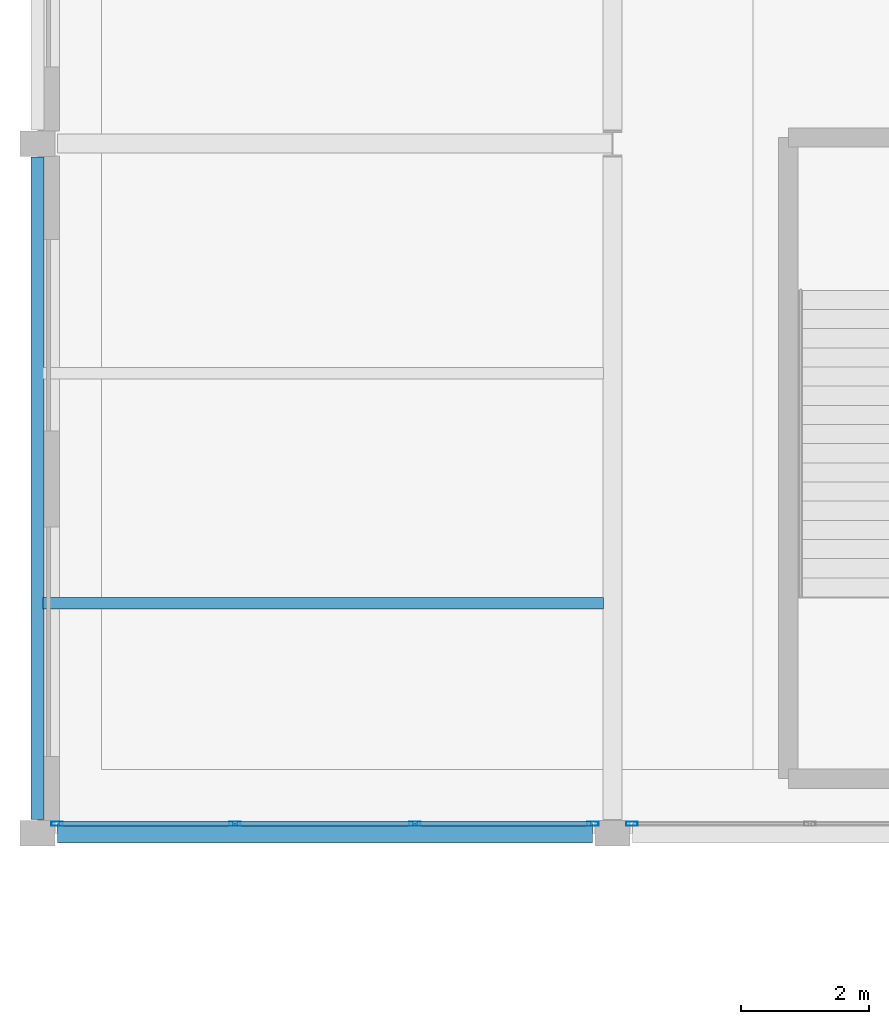
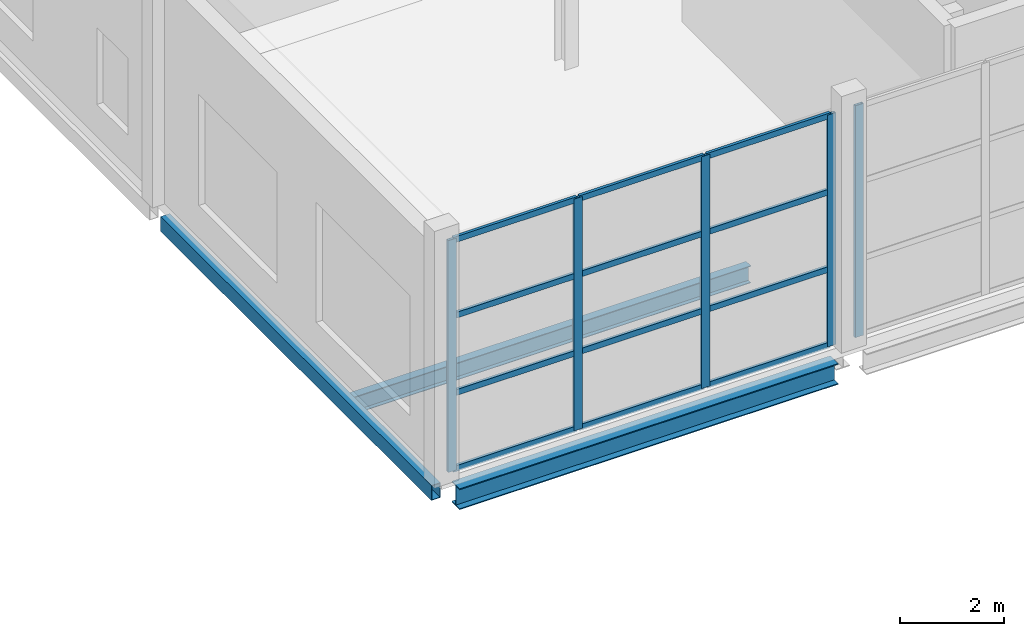
# One storey, part 68 of 191: 17 members, 3 beams, 2 elements without a shape of their own.
"""IFC4 building model written with IfcOpenShell, lengths in metres."""

import ifcopenshell
import ifcopenshell.guid

model = None  # the IFC model being written
_history = None  # IfcOwnerHistory: only IFC2X3 demands one
_inside = {}  # id of a spatial element -> (the spatial element, [elements in it])
_under = {}  # id of a project, library or spatial element -> (it, [spatial elements below it])
_declared = {}  # id of a project -> (the project, [libraries it declares])
_typed = {}  # id of a type object -> (the type object, [elements of that type])
_made_of = {}  # id of a material, layer set ... -> (it, [elements and type objects made of it])


def new_model(schema):
    """Start an empty IFC model of exactly this schema.

    Asked for "IFC4X3", IfcOpenShell would pick the latest addendum, in which some entities
    have other attributes; the version numbers below select the first issue.
    IFC2X3 requires an IfcOwnerHistory on every rooted entity: one is made here for all.
    """
    global model, _history
    if schema == "IFC4X3":
        model = ifcopenshell.file(schema_version=(4, 3, 0, 0))
    else:
        model = ifcopenshell.file(schema=schema)
    _inside.clear()
    _under.clear()
    _declared.clear()
    _typed.clear()
    _made_of.clear()
    _history = None
    if model.schema == "IFC2X3":
        org = make("IfcOrganization", Name="unknown")
        user = make(
            "IfcPersonAndOrganization",
            ThePerson=make("IfcPerson", FamilyName="unknown"),
            TheOrganization=org,
        )
        app = make(
            "IfcApplication",
            ApplicationDeveloper=org,
            Version="unknown",
            ApplicationFullName="unknown",
            ApplicationIdentifier="unknown",
        )
        _history = make(
            "IfcOwnerHistory",
            OwningUser=user,
            OwningApplication=app,
            ChangeAction="ADDED",
            CreationDate=0,
        )
    return model


def make(cls, **values):
    """One entity of the class cls with the attributes given. An attribute that is None is left unset."""
    return model.create_entity(
        cls, **{name: value for name, value in values.items() if value is not None}
    )


def rooted(cls, **values):
    """An entity with a GlobalId (a new one), such as an element, a storey or a relation."""
    return make(cls, GlobalId=ifcopenshell.guid.new(), OwnerHistory=_history, **values)


def si_unit(unit_type, name, prefix=None):
    """IfcSIUnit, for example si_unit("LENGTHUNIT", "METRE", prefix="MILLI")."""
    return make("IfcSIUnit", UnitType=unit_type, Prefix=prefix, Name=name)


def assignment(units):
    """IfcUnitAssignment: the units of a project."""
    return None if units is None else make("IfcUnitAssignment", Units=units)


def point(xyz):
    """IfcCartesianPoint."""
    return None if xyz is None else make("IfcCartesianPoint", Coordinates=xyz)


def direction(xyz):
    """IfcDirection."""
    return None if xyz is None else make("IfcDirection", DirectionRatios=xyz)


def frame(location, z_axis=None, x_axis=None):
    """IfcAxis2Placement3D, a coordinate frame: its origin and axes. An axis left out is left unset."""
    return make(
        "IfcAxis2Placement3D",
        Location=point(location),
        Axis=direction(z_axis),
        RefDirection=direction(x_axis),
    )


def frame_2d(location, x_axis=None):
    """IfcAxis2Placement2D, a coordinate frame in the plane: its origin and x axis."""
    return make(
        "IfcAxis2Placement2D", Location=point(location), RefDirection=direction(x_axis)
    )


def origin():
    """The frame at (0, 0, 0) with its axes left unset."""
    return frame((0.0, 0.0, 0.0))


def origin_2d():
    """The frame at (0, 0) in the plane with its x axis left unset."""
    return frame_2d((0.0, 0.0))


def place(relative_to, where):
    """IfcLocalPlacement: puts the frame where relative to a parent placement (None: the world)."""
    return make(
        "IfcLocalPlacement", PlacementRelTo=relative_to, RelativePlacement=where
    )


def context(
    kind, dimensions, precision=None, world=None, true_north=None, identifier=None
):
    """IfcGeometricRepresentationContext, for example the 3D "Model" context."""
    return make(
        "IfcGeometricRepresentationContext",
        ContextIdentifier=identifier,
        ContextType=kind,
        CoordinateSpaceDimension=dimensions,
        Precision=precision,
        WorldCoordinateSystem=world,
        TrueNorth=true_north,
    )


def subcontext(parent, identifier, kind, view, scale=None):
    """IfcGeometricRepresentationSubContext, for example "Body" below "Model"."""
    return make(
        "IfcGeometricRepresentationSubContext",
        ContextIdentifier=identifier,
        ContextType=kind,
        ParentContext=parent,
        TargetScale=scale,
        TargetView=view,
    )


def project(units=None, contexts=None):
    """IfcProject with its units and contexts."""
    return rooted(
        "IfcProject",
        Name="project",
        RepresentationContexts=contexts,
        UnitsInContext=assignment(units),
    )


def spatial(cls, under=None, at=None, **own):
    """A site, building, storey or space (cls), placed at a placement, below another one or the project."""
    s = rooted(cls, ObjectPlacement=at, **own)
    if under is not None:
        _under.setdefault(under.id(), (under, []))[1].append(s)
    return s


def profile(cls, at=None, kind="AREA", **sizes):
    """A parametric profile (cls). Its sizes go by their IFC names, for example OverallWidth=200.0."""
    return make(cls, ProfileType=kind, Position=at, **sizes)


def hollow_rectangle(**sizes):
    """IfcRectangleHollowProfileDef."""
    return profile("IfcRectangleHollowProfileDef", **sizes)


def i_section(**sizes):
    """IfcIShapeProfileDef."""
    return profile("IfcIShapeProfileDef", **sizes)


def extrude(swept, where, along, depth):
    """IfcExtrudedAreaSolid: the profile swept, set in the frame where, extruded along a direction by depth."""
    return make(
        "IfcExtrudedAreaSolid",
        SweptArea=swept,
        Position=where,
        ExtrudedDirection=direction(along),
        Depth=depth,
    )


def shape(context_of_items, identifier, shape_type, items):
    """IfcShapeRepresentation: the items that make up one representation, for example the "Body"."""
    return make(
        "IfcShapeRepresentation",
        ContextOfItems=context_of_items,
        RepresentationIdentifier=identifier,
        RepresentationType=shape_type,
        Items=items,
    )


def material(Name=None, Category=None):
    """IfcMaterial."""
    return make("IfcMaterial", Name=Name, Category=Category)


def layer(
    of_material, thickness, ventilated=None, Name=None, Category=None, Priority=None
):
    """IfcMaterialLayer: one layer of a wall or slab, of a material (None: an air gap)."""
    return make(
        "IfcMaterialLayer",
        Material=of_material,
        LayerThickness=thickness,
        IsVentilated=ventilated,
        Name=Name,
        Category=Category,
        Priority=Priority,
    )


def layer_set(layers, Name=None):
    """IfcMaterialLayerSet."""
    return make("IfcMaterialLayerSet", MaterialLayers=layers, LayerSetName=Name)


def material_profile(
    of_material, cross_section, Name=None, Category=None, Priority=None
):
    """IfcMaterialProfile: a cross section and its material."""
    return make(
        "IfcMaterialProfile",
        Name=Name,
        Material=of_material,
        Profile=cross_section,
        Priority=Priority,
        Category=Category,
    )


def profile_set(profiles, Name=None, composite=None):
    """IfcMaterialProfileSet."""
    return make(
        "IfcMaterialProfileSet",
        Name=Name,
        MaterialProfiles=profiles,
        CompositeProfile=composite,
    )


def made_of(thing, what):
    """Note that an element or type object is made of a material, layer set ...; save() writes the relation."""
    if what is not None:
        _made_of.setdefault(what.id(), (what, []))[1].append(thing)
    return thing


def type_object(cls, material=None, **own):
    """A type object (cls), such as IfcWallType, which elements share."""
    return made_of(rooted(cls, **own), material)


def element(
    cls,
    number,
    at=None,
    inside=None,
    cuts=None,
    type_object=None,
    material=None,
    context=None,
    identifier="Body",
    shape_type=None,
    held_by="IfcProductDefinitionShape",
    body=None,
    shapes=None,
    **own,
):
    """One element of the class cls, such as IfcWall. Its Tag is "e" and its number.

    at: its placement. inside: the storey or other place that contains it. cuts: it is an
    opening in that element (IfcRelVoidsElement). A single representation is given by context,
    identifier, shape_type and body (its items); several are given by shapes. held_by: the class
    of the entity that holds the representations. save() writes the other relations.
    """
    e = rooted(cls, Tag="e%d" % number, ObjectPlacement=at, **own)
    if body is not None:
        shapes = [shape(context, identifier, shape_type, body)]
    if shapes is not None:
        e.Representation = make(held_by, Representations=shapes)
    if inside is not None:
        _inside.setdefault(inside.id(), (inside, []))[1].append(e)
    if cuts is not None:
        rooted(
            "IfcRelVoidsElement", RelatingBuildingElement=cuts, RelatedOpeningElement=e
        )
    if type_object is not None:
        _typed.setdefault(type_object.id(), (type_object, []))[1].append(e)
    return made_of(e, material)


def aggregate(whole, parts):
    """IfcRelAggregates: a whole, such as a stair, and the parts it consists of."""
    return rooted("IfcRelAggregates", RelatingObject=whole, RelatedObjects=parts)


def save(model, path):
    """Write the relations noted so far, then the file.

    IfcRelAggregates (storeys below a building ...), IfcRelContainedInSpatialStructure (elements
    in a storey), IfcRelDefinesByType, IfcRelAssociatesMaterial and IfcRelDeclares: one each for
    every whole, place, type object, material and project.
    """
    for whole, parts in _under.values():
        aggregate(whole, parts)
    for where, things in _inside.values():
        rooted(
            "IfcRelContainedInSpatialStructure",
            RelatedElements=things,
            RelatingStructure=where,
        )
    for kind, things in _typed.values():
        rooted("IfcRelDefinesByType", RelatedObjects=things, RelatingType=kind)
    for what, things in _made_of.values():
        rooted("IfcRelAssociatesMaterial", RelatedObjects=things, RelatingMaterial=what)
    for by, libraries in _declared.values():
        rooted("IfcRelDeclares", RelatingContext=by, RelatedDefinitions=libraries)
    model.write(path)


model = new_model("IFC4")

# Units and contexts
model_context = context("Model", 3, precision=1e-05, world=origin(), true_north=direction((0.0, 1.0)))
body_context = subcontext(model_context, "Body", "Model", "MODEL_VIEW")
ifc_project = project(units=[si_unit("LENGTHUNIT", "METRE"), si_unit("AREAUNIT", "SQUARE_METRE"), si_unit("VOLUMEUNIT", "CUBIC_METRE"), si_unit("PLANEANGLEUNIT", "RADIAN"), si_unit("MASSUNIT", "GRAM", prefix="KILO")], contexts=[model_context])

# Site, building, storey
site_placement = place(None, origin())
site = spatial("IfcSite", under=ifc_project, at=site_placement, CompositionType="ELEMENT")
building_placement = place(site_placement, origin())
building = spatial("IfcBuilding", under=site, at=building_placement, Name="Tamarisk Ironworks Central Station", CompositionType="ELEMENT")
storey_placement = place(building_placement, frame((0.0, 0.0, 6.60009765625)))
storey = spatial("IfcBuildingStorey", under=building, at=storey_placement, Name="L01", CompositionType="ELEMENT", Elevation=6.60009765625)

# Beams
ifc_material_1 = material(Name="Structural steel S355J2", Category="steel")
ifc_material_profile_1 = material_profile(ifc_material_1, i_section(OverallWidth=0.179931640625, OverallDepth=0.39990234375, WebThickness=0.008544921875, FlangeThickness=0.013427734375, at=origin_2d()), Name="IPE 400")
ifc_profile_set_1 = profile_set([ifc_material_profile_1], Name="Structural steel S355J2")
beam_type_1 = type_object("IfcBeamType", Name="BM-B04", PredefinedType="BEAM", material=ifc_profile_set_1)
beam_1_placement = place(storey_placement, frame((0.0849609375, 93.60009765625, -0.4501953125), z_axis=(1.0, 0.0, 0.0), x_axis=(0.0, 1.0, 0.0)))
element("IfcBeam", 1, at=beam_1_placement, inside=storey, type_object=beam_type_1, Name="L01 secondary composite beam 0045", PredefinedType="BEAM", context=body_context, shape_type="SweptSolid", body=[
    extrude(i_section(OverallWidth=0.179931640625, OverallDepth=0.39990234375, WebThickness=0.008544921875, FlangeThickness=0.013427734375, at=origin_2d()), origin(), (0.0, 0.0, 1.0), 8.780029296875),
])
ifc_material_profile_2 = material_profile(ifc_material_1, i_section(OverallWidth=0.300048828125, OverallDepth=0.489990234375, WebThickness=0.011962890625, FlangeThickness=0.02294921875, at=origin_2d()), Name="HEA 500")
ifc_profile_set_2 = profile_set([ifc_material_profile_2], Name="Structural steel S355J2")
beam_type_2 = type_object("IfcBeamType", Name="BM-G05", PredefinedType="BEAM", material=ifc_profile_set_2)
beam_2_placement = place(storey_placement, frame((0.31298828125, 90.0, -0.4951171875), z_axis=(1.0, 0.0, 0.0), x_axis=(0.0, 1.0, 0.0)))
element("IfcBeam", 2, at=beam_2_placement, inside=storey, type_object=beam_type_2, Name="L01 primary girder X-0093", PredefinedType="BEAM", context=body_context, shape_type="SweptSolid", body=[
    extrude(i_section(OverallWidth=0.300048828125, OverallDepth=0.489990234375, WebThickness=0.011962890625, FlangeThickness=0.02294921875, at=origin_2d()), origin(), (0.0, 0.0, 1.0), 8.3740234375),
])
ifc_material_profile_3 = material_profile(ifc_material_1, hollow_rectangle(XDim=0.199951171875, YDim=0.35009765625, WallThickness=0.012451171875, at=origin_2d()), Name="RHS 350x200x12.5")
ifc_profile_set_3 = profile_set([ifc_material_profile_3], Name="Structural steel S355J2")
beam_type_3 = type_object("IfcBeamType", Name="BM-SP01", PredefinedType="SPANDREL", material=ifc_profile_set_3)
beam_3_placement = place(storey_placement, frame((0.0, 90.212890625, -0.425048828125), z_axis=(0.0, 1.0, 0.0), x_axis=(-1.0, 0.0, 0.0)))
element("IfcBeam", 3, at=beam_3_placement, inside=storey, type_object=beam_type_3, Name="L01 primary girder Y-0159", PredefinedType="SPANDREL", context=body_context, shape_type="SweptSolid", body=[
    extrude(hollow_rectangle(XDim=0.199951171875, YDim=0.35009765625, WallThickness=0.012451171875, at=origin_2d()), origin(), (0.0, 0.0, 1.0), 10.3740234375),
])

# Curtain wall, members
ifc_material_2 = material(Name="Anodized aluminium alloy 6063-T6", Category="aluminium")
ifc_layer = layer(ifc_material_2, 0.179931640625)
ifc_layer_set = layer_set([ifc_layer], Name="Anodized aluminium alloy 6063-T6")
curtain_wall_type = type_object("IfcCurtainWallType", Name="CW-10", PredefinedType="USERDEFINED", material=ifc_layer_set)
curtain_wall_1_placement = place(storey_placement, origin())
curtain_wall_1 = element("IfcCurtainWall", 4, at=curtain_wall_1_placement, inside=storey, type_object=curtain_wall_type, Name="Pavilion L01 S glazed arcade 00", ObjectType="GLAZED CURTAIN WALL", PredefinedType="USERDEFINED")
ifc_material_profile_4 = material_profile(ifc_material_2, hollow_rectangle(XDim=0.06494140625, YDim=0.179931640625, WallThickness=0.00390625, at=origin_2d()), Name="ALUM 180x65")
ifc_profile_set_4 = profile_set([ifc_material_profile_4], Name="Anodized aluminium alloy 6063-T6")
member_type_1 = type_object("IfcMemberType", Name="CWM-02", PredefinedType="MULLION", material=ifc_profile_set_4)
member_1_placement = place(storey_placement, frame((0.305419921875, 90.14990234375, 0.0), z_axis=(0.0, 0.0, 1.0), x_axis=(0.0, 1.0, 0.0)))
member_1 = element("IfcMember", 5, at=member_1_placement, type_object=member_type_1, Name="CW10 mullion 1", PredefinedType="MULLION", context=body_context, shape_type="SweptSolid", body=[
    extrude(hollow_rectangle(XDim=0.06494140625, YDim=0.179931640625, WallThickness=0.00390625, at=origin_2d()), origin(), (0.0, 0.0, 1.0), 5.419921875),
])
member_2_placement = place(storey_placement, frame((3.091064453125, 90.14990234375, 0.0), z_axis=(0.0, 0.0, 1.0), x_axis=(0.0, 1.0, 0.0)))
member_2 = element("IfcMember", 6, at=member_2_placement, type_object=member_type_1, Name="CW10 mullion 2", PredefinedType="MULLION", context=body_context, shape_type="SweptSolid", body=[
    extrude(hollow_rectangle(XDim=0.06494140625, YDim=0.179931640625, WallThickness=0.00390625, at=origin_2d()), origin(), (0.0, 0.0, 1.0), 5.419921875),
])
member_3_placement = place(storey_placement, frame((5.908935546875, 90.14990234375, 0.0), z_axis=(0.0, 0.0, 1.0), x_axis=(0.0, 1.0, 0.0)))
member_3 = element("IfcMember", 7, at=member_3_placement, type_object=member_type_1, Name="CW10 mullion 3", PredefinedType="MULLION", context=body_context, shape_type="SweptSolid", body=[
    extrude(hollow_rectangle(XDim=0.06494140625, YDim=0.179931640625, WallThickness=0.00390625, at=origin_2d()), origin(), (0.0, 0.0, 1.0), 5.419921875),
])
member_4_placement = place(storey_placement, frame((8.694580078125, 90.14990234375, 0.0), z_axis=(0.0, 0.0, 1.0), x_axis=(0.0, 1.0, 0.0)))
member_4 = element("IfcMember", 8, at=member_4_placement, type_object=member_type_1, Name="CW10 mullion 4", PredefinedType="MULLION", context=body_context, shape_type="SweptSolid", body=[
    extrude(hollow_rectangle(XDim=0.06494140625, YDim=0.179931640625, WallThickness=0.00390625, at=origin_2d()), origin(), (0.0, 0.0, 1.0), 5.419921875),
])

# Curtain wall, member
curtain_wall_2_placement = place(storey_placement, origin())
curtain_wall_2 = element("IfcCurtainWall", 9, at=curtain_wall_2_placement, inside=storey, type_object=curtain_wall_type, Name="Pavilion L01 S glazed arcade 09", ObjectType="GLAZED CURTAIN WALL", PredefinedType="USERDEFINED")
member_5_placement = place(storey_placement, frame((9.305419921875, 90.14990234375, 0.0), z_axis=(0.0, 0.0, 1.0), x_axis=(0.0, 1.0, 0.0)))
member_5 = element("IfcMember", 10, at=member_5_placement, type_object=member_type_1, Name="CW10 mullion 1", PredefinedType="MULLION", context=body_context, shape_type="SweptSolid", body=[
    extrude(hollow_rectangle(XDim=0.06494140625, YDim=0.179931640625, WallThickness=0.00390625, at=origin_2d()), origin(), (0.0, 0.0, 1.0), 5.419921875),
])
aggregate(curtain_wall_2, [member_5])

# Member
ifc_material_profile_5 = material_profile(ifc_material_2, hollow_rectangle(XDim=0.06494140625, YDim=0.135009765625, WallThickness=0.00341796875, at=origin_2d()), Name="ALUM 135x65")
ifc_profile_set_5 = profile_set([ifc_material_profile_5], Name="Anodized aluminium alloy 6063-T6")
member_type_2 = type_object("IfcMemberType", Name="CWT-02", PredefinedType="USERDEFINED", material=ifc_profile_set_5)
member_6_placement = place(storey_placement, frame((0.333984375, 90.14990234375, 0.032470703125), z_axis=(1.0, 0.0, 0.0), x_axis=(0.0, 1.0, 0.0)))
member_6 = element("IfcMember", 11, at=member_6_placement, type_object=member_type_2, Name="CW10 transom 1.1", ObjectType="TRANSOM", PredefinedType="USERDEFINED", context=body_context, shape_type="SweptSolid", body=[
    extrude(hollow_rectangle(XDim=0.06494140625, YDim=0.135009765625, WallThickness=0.00341796875, at=origin_2d()), origin(), (0.0, 0.0, 1.0), 2.728515625),
])

member_7_placement = place(storey_placement, frame((0.333984375, 90.14990234375, 1.806640625), z_axis=(1.0, 0.0, 0.0), x_axis=(0.0, 1.0, 0.0)))
member_7 = element("IfcMember", 12, at=member_7_placement, type_object=member_type_2, Name="CW10 transom 1.2", ObjectType="TRANSOM", PredefinedType="USERDEFINED", context=body_context, shape_type="SweptSolid", body=[
    extrude(hollow_rectangle(XDim=0.06494140625, YDim=0.135009765625, WallThickness=0.00341796875, at=origin_2d()), origin(), (0.0, 0.0, 1.0), 2.728515625),
])

member_8_placement = place(storey_placement, frame((0.333984375, 90.14990234375, 3.61328125), z_axis=(1.0, 0.0, 0.0), x_axis=(0.0, 1.0, 0.0)))
member_8 = element("IfcMember", 13, at=member_8_placement, type_object=member_type_2, Name="CW10 transom 1.3", ObjectType="TRANSOM", PredefinedType="USERDEFINED", context=body_context, shape_type="SweptSolid", body=[
    extrude(hollow_rectangle(XDim=0.06494140625, YDim=0.135009765625, WallThickness=0.00341796875, at=origin_2d()), origin(), (0.0, 0.0, 1.0), 2.728515625),
])

member_9_placement = place(storey_placement, frame((0.333984375, 90.14990234375, 5.387451171875), z_axis=(1.0, 0.0, 0.0), x_axis=(0.0, 1.0, 0.0)))
member_9 = element("IfcMember", 14, at=member_9_placement, type_object=member_type_2, Name="CW10 transom 1.4", ObjectType="TRANSOM", PredefinedType="USERDEFINED", context=body_context, shape_type="SweptSolid", body=[
    extrude(hollow_rectangle(XDim=0.06494140625, YDim=0.135009765625, WallThickness=0.00341796875, at=origin_2d()), origin(), (0.0, 0.0, 1.0), 2.728515625),
])

member_10_placement = place(storey_placement, frame((3.119384765625, 90.14990234375, 0.032470703125), z_axis=(1.0, 0.0, 0.0), x_axis=(0.0, 1.0, 0.0)))
member_10 = element("IfcMember", 15, at=member_10_placement, type_object=member_type_2, Name="CW10 transom 2.1", ObjectType="TRANSOM", PredefinedType="USERDEFINED", context=body_context, shape_type="SweptSolid", body=[
    extrude(hollow_rectangle(XDim=0.06494140625, YDim=0.135009765625, WallThickness=0.00341796875, at=origin_2d()), origin(), (0.0, 0.0, 1.0), 2.76123046875),
])

member_11_placement = place(storey_placement, frame((3.119384765625, 90.14990234375, 1.806640625), z_axis=(1.0, 0.0, 0.0), x_axis=(0.0, 1.0, 0.0)))
member_11 = element("IfcMember", 16, at=member_11_placement, type_object=member_type_2, Name="CW10 transom 2.2", ObjectType="TRANSOM", PredefinedType="USERDEFINED", context=body_context, shape_type="SweptSolid", body=[
    extrude(hollow_rectangle(XDim=0.06494140625, YDim=0.135009765625, WallThickness=0.00341796875, at=origin_2d()), origin(), (0.0, 0.0, 1.0), 2.76123046875),
])

member_12_placement = place(storey_placement, frame((3.119384765625, 90.14990234375, 3.61328125), z_axis=(1.0, 0.0, 0.0), x_axis=(0.0, 1.0, 0.0)))
member_12 = element("IfcMember", 17, at=member_12_placement, type_object=member_type_2, Name="CW10 transom 2.3", ObjectType="TRANSOM", PredefinedType="USERDEFINED", context=body_context, shape_type="SweptSolid", body=[
    extrude(hollow_rectangle(XDim=0.06494140625, YDim=0.135009765625, WallThickness=0.00341796875, at=origin_2d()), origin(), (0.0, 0.0, 1.0), 2.76123046875),
])

member_13_placement = place(storey_placement, frame((3.119384765625, 90.14990234375, 5.387451171875), z_axis=(1.0, 0.0, 0.0), x_axis=(0.0, 1.0, 0.0)))
member_13 = element("IfcMember", 18, at=member_13_placement, type_object=member_type_2, Name="CW10 transom 2.4", ObjectType="TRANSOM", PredefinedType="USERDEFINED", context=body_context, shape_type="SweptSolid", body=[
    extrude(hollow_rectangle(XDim=0.06494140625, YDim=0.135009765625, WallThickness=0.00341796875, at=origin_2d()), origin(), (0.0, 0.0, 1.0), 2.76123046875),
])

member_14_placement = place(storey_placement, frame((5.9375, 90.14990234375, 0.032470703125), z_axis=(1.0, 0.0, 0.0), x_axis=(0.0, 1.0, 0.0)))
member_14 = element("IfcMember", 19, at=member_14_placement, type_object=member_type_2, Name="CW10 transom 3.1", ObjectType="TRANSOM", PredefinedType="USERDEFINED", context=body_context, shape_type="SweptSolid", body=[
    extrude(hollow_rectangle(XDim=0.06494140625, YDim=0.135009765625, WallThickness=0.00341796875, at=origin_2d()), origin(), (0.0, 0.0, 1.0), 2.728515625),
])

member_15_placement = place(storey_placement, frame((5.9375, 90.14990234375, 1.806640625), z_axis=(1.0, 0.0, 0.0), x_axis=(0.0, 1.0, 0.0)))
member_15 = element("IfcMember", 20, at=member_15_placement, type_object=member_type_2, Name="CW10 transom 3.2", ObjectType="TRANSOM", PredefinedType="USERDEFINED", context=body_context, shape_type="SweptSolid", body=[
    extrude(hollow_rectangle(XDim=0.06494140625, YDim=0.135009765625, WallThickness=0.00341796875, at=origin_2d()), origin(), (0.0, 0.0, 1.0), 2.728515625),
])

member_16_placement = place(storey_placement, frame((5.9375, 90.14990234375, 3.61328125), z_axis=(1.0, 0.0, 0.0), x_axis=(0.0, 1.0, 0.0)))
member_16 = element("IfcMember", 21, at=member_16_placement, type_object=member_type_2, Name="CW10 transom 3.3", ObjectType="TRANSOM", PredefinedType="USERDEFINED", context=body_context, shape_type="SweptSolid", body=[
    extrude(hollow_rectangle(XDim=0.06494140625, YDim=0.135009765625, WallThickness=0.00341796875, at=origin_2d()), origin(), (0.0, 0.0, 1.0), 2.728515625),
])

member_17_placement = place(storey_placement, frame((5.9375, 90.14990234375, 5.387451171875), z_axis=(1.0, 0.0, 0.0), x_axis=(0.0, 1.0, 0.0)))
member_17 = element("IfcMember", 22, at=member_17_placement, type_object=member_type_2, Name="CW10 transom 3.4", ObjectType="TRANSOM", PredefinedType="USERDEFINED", context=body_context, shape_type="SweptSolid", body=[
    extrude(hollow_rectangle(XDim=0.06494140625, YDim=0.135009765625, WallThickness=0.00341796875, at=origin_2d()), origin(), (0.0, 0.0, 1.0), 2.728515625),
])

aggregate(curtain_wall_1, [member_1, member_2, member_3, member_4, member_6, member_7, member_8, member_9, member_10, member_11, member_12, member_13, member_14, member_15, member_16, member_17])

save(model, "model.ifc")
